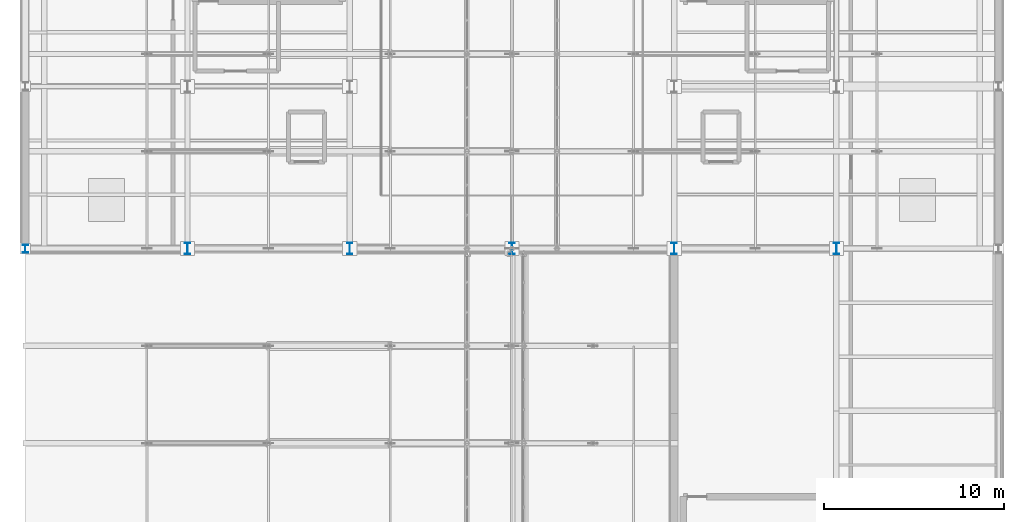
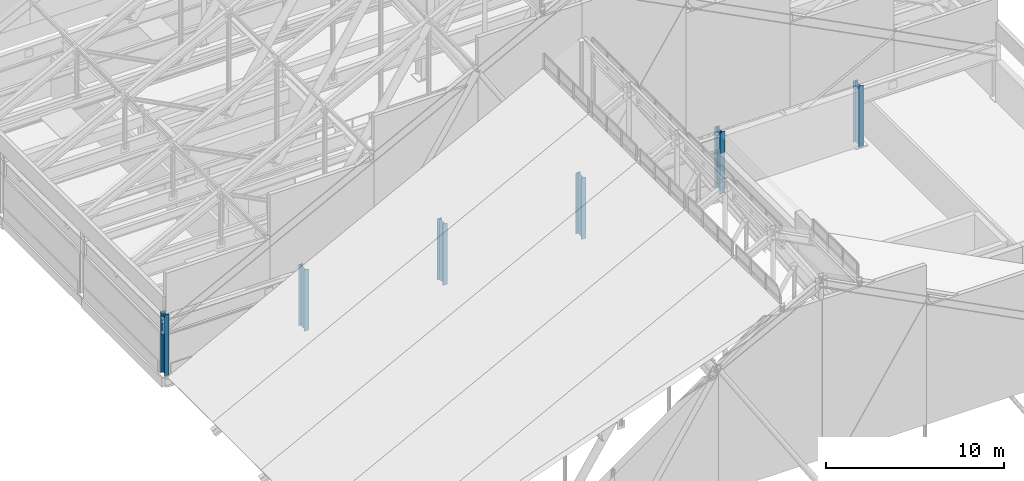
# One storey, part 1 of 84: 6 columns.
"""IFC4 building model written with IfcOpenShell, lengths in metres."""

import ifcopenshell
import ifcopenshell.guid

model = None  # the IFC model being written
_history = None  # IfcOwnerHistory: only IFC2X3 demands one
_inside = {}  # id of a spatial element -> (the spatial element, [elements in it])
_under = {}  # id of a project, library or spatial element -> (it, [spatial elements below it])
_declared = {}  # id of a project -> (the project, [libraries it declares])
_typed = {}  # id of a type object -> (the type object, [elements of that type])
_made_of = {}  # id of a material, layer set ... -> (it, [elements and type objects made of it])


def new_model(schema):
    """Start an empty IFC model of exactly this schema.

    Asked for "IFC4X3", IfcOpenShell would pick the latest addendum, in which some entities
    have other attributes; the version numbers below select the first issue.
    IFC2X3 requires an IfcOwnerHistory on every rooted entity: one is made here for all.
    """
    global model, _history
    if schema == "IFC4X3":
        model = ifcopenshell.file(schema_version=(4, 3, 0, 0))
    else:
        model = ifcopenshell.file(schema=schema)
    _inside.clear()
    _under.clear()
    _declared.clear()
    _typed.clear()
    _made_of.clear()
    _history = None
    if model.schema == "IFC2X3":
        org = make("IfcOrganization", Name="unknown")
        user = make(
            "IfcPersonAndOrganization",
            ThePerson=make("IfcPerson", FamilyName="unknown"),
            TheOrganization=org,
        )
        app = make(
            "IfcApplication",
            ApplicationDeveloper=org,
            Version="unknown",
            ApplicationFullName="unknown",
            ApplicationIdentifier="unknown",
        )
        _history = make(
            "IfcOwnerHistory",
            OwningUser=user,
            OwningApplication=app,
            ChangeAction="ADDED",
            CreationDate=0,
        )
    return model


def make(cls, **values):
    """One entity of the class cls with the attributes given. An attribute that is None is left unset."""
    return model.create_entity(
        cls, **{name: value for name, value in values.items() if value is not None}
    )


def rooted(cls, **values):
    """An entity with a GlobalId (a new one), such as an element, a storey or a relation."""
    return make(cls, GlobalId=ifcopenshell.guid.new(), OwnerHistory=_history, **values)


def si_unit(unit_type, name, prefix=None):
    """IfcSIUnit, for example si_unit("LENGTHUNIT", "METRE", prefix="MILLI")."""
    return make("IfcSIUnit", UnitType=unit_type, Prefix=prefix, Name=name)


def assignment(units):
    """IfcUnitAssignment: the units of a project."""
    return None if units is None else make("IfcUnitAssignment", Units=units)


def point(xyz):
    """IfcCartesianPoint."""
    return None if xyz is None else make("IfcCartesianPoint", Coordinates=xyz)


def direction(xyz):
    """IfcDirection."""
    return None if xyz is None else make("IfcDirection", DirectionRatios=xyz)


def frame(location, z_axis=None, x_axis=None):
    """IfcAxis2Placement3D, a coordinate frame: its origin and axes. An axis left out is left unset."""
    return make(
        "IfcAxis2Placement3D",
        Location=point(location),
        Axis=direction(z_axis),
        RefDirection=direction(x_axis),
    )


def frame_2d(location, x_axis=None):
    """IfcAxis2Placement2D, a coordinate frame in the plane: its origin and x axis."""
    return make(
        "IfcAxis2Placement2D", Location=point(location), RefDirection=direction(x_axis)
    )


def origin():
    """The frame at (0, 0, 0) with its axes left unset."""
    return frame((0.0, 0.0, 0.0))


def origin_2d():
    """The frame at (0, 0) in the plane with its x axis left unset."""
    return frame_2d((0.0, 0.0))


def place(relative_to, where):
    """IfcLocalPlacement: puts the frame where relative to a parent placement (None: the world)."""
    return make(
        "IfcLocalPlacement", PlacementRelTo=relative_to, RelativePlacement=where
    )


def context(
    kind, dimensions, precision=None, world=None, true_north=None, identifier=None
):
    """IfcGeometricRepresentationContext, for example the 3D "Model" context."""
    return make(
        "IfcGeometricRepresentationContext",
        ContextIdentifier=identifier,
        ContextType=kind,
        CoordinateSpaceDimension=dimensions,
        Precision=precision,
        WorldCoordinateSystem=world,
        TrueNorth=true_north,
    )


def subcontext(parent, identifier, kind, view, scale=None):
    """IfcGeometricRepresentationSubContext, for example "Body" below "Model"."""
    return make(
        "IfcGeometricRepresentationSubContext",
        ContextIdentifier=identifier,
        ContextType=kind,
        ParentContext=parent,
        TargetScale=scale,
        TargetView=view,
    )


def project(units=None, contexts=None):
    """IfcProject with its units and contexts."""
    return rooted(
        "IfcProject",
        Name="project",
        RepresentationContexts=contexts,
        UnitsInContext=assignment(units),
    )


def spatial(cls, under=None, at=None, **own):
    """A site, building, storey or space (cls), placed at a placement, below another one or the project."""
    s = rooted(cls, ObjectPlacement=at, **own)
    if under is not None:
        _under.setdefault(under.id(), (under, []))[1].append(s)
    return s


def profile(cls, at=None, kind="AREA", **sizes):
    """A parametric profile (cls). Its sizes go by their IFC names, for example OverallWidth=200.0."""
    return make(cls, ProfileType=kind, Position=at, **sizes)


def i_section(**sizes):
    """IfcIShapeProfileDef."""
    return profile("IfcIShapeProfileDef", **sizes)


def extrude(swept, where, along, depth):
    """IfcExtrudedAreaSolid: the profile swept, set in the frame where, extruded along a direction by depth."""
    return make(
        "IfcExtrudedAreaSolid",
        SweptArea=swept,
        Position=where,
        ExtrudedDirection=direction(along),
        Depth=depth,
    )


def shape(context_of_items, identifier, shape_type, items):
    """IfcShapeRepresentation: the items that make up one representation, for example the "Body"."""
    return make(
        "IfcShapeRepresentation",
        ContextOfItems=context_of_items,
        RepresentationIdentifier=identifier,
        RepresentationType=shape_type,
        Items=items,
    )


def material(Name=None, Category=None):
    """IfcMaterial."""
    return make("IfcMaterial", Name=Name, Category=Category)


def material_profile(
    of_material, cross_section, Name=None, Category=None, Priority=None
):
    """IfcMaterialProfile: a cross section and its material."""
    return make(
        "IfcMaterialProfile",
        Name=Name,
        Material=of_material,
        Profile=cross_section,
        Priority=Priority,
        Category=Category,
    )


def profile_set(profiles, Name=None, composite=None):
    """IfcMaterialProfileSet."""
    return make(
        "IfcMaterialProfileSet",
        Name=Name,
        MaterialProfiles=profiles,
        CompositeProfile=composite,
    )


def made_of(thing, what):
    """Note that an element or type object is made of a material, layer set ...; save() writes the relation."""
    if what is not None:
        _made_of.setdefault(what.id(), (what, []))[1].append(thing)
    return thing


def type_object(cls, material=None, **own):
    """A type object (cls), such as IfcWallType, which elements share."""
    return made_of(rooted(cls, **own), material)


def element(
    cls,
    number,
    at=None,
    inside=None,
    cuts=None,
    type_object=None,
    material=None,
    context=None,
    identifier="Body",
    shape_type=None,
    held_by="IfcProductDefinitionShape",
    body=None,
    shapes=None,
    **own,
):
    """One element of the class cls, such as IfcWall. Its Tag is "e" and its number.

    at: its placement. inside: the storey or other place that contains it. cuts: it is an
    opening in that element (IfcRelVoidsElement). A single representation is given by context,
    identifier, shape_type and body (its items); several are given by shapes. held_by: the class
    of the entity that holds the representations. save() writes the other relations.
    """
    e = rooted(cls, Tag="e%d" % number, ObjectPlacement=at, **own)
    if body is not None:
        shapes = [shape(context, identifier, shape_type, body)]
    if shapes is not None:
        e.Representation = make(held_by, Representations=shapes)
    if inside is not None:
        _inside.setdefault(inside.id(), (inside, []))[1].append(e)
    if cuts is not None:
        rooted(
            "IfcRelVoidsElement", RelatingBuildingElement=cuts, RelatedOpeningElement=e
        )
    if type_object is not None:
        _typed.setdefault(type_object.id(), (type_object, []))[1].append(e)
    return made_of(e, material)


def aggregate(whole, parts):
    """IfcRelAggregates: a whole, such as a stair, and the parts it consists of."""
    return rooted("IfcRelAggregates", RelatingObject=whole, RelatedObjects=parts)


def save(model, path):
    """Write the relations noted so far, then the file.

    IfcRelAggregates (storeys below a building ...), IfcRelContainedInSpatialStructure (elements
    in a storey), IfcRelDefinesByType, IfcRelAssociatesMaterial and IfcRelDeclares: one each for
    every whole, place, type object, material and project.
    """
    for whole, parts in _under.values():
        aggregate(whole, parts)
    for where, things in _inside.values():
        rooted(
            "IfcRelContainedInSpatialStructure",
            RelatedElements=things,
            RelatingStructure=where,
        )
    for kind, things in _typed.values():
        rooted("IfcRelDefinesByType", RelatedObjects=things, RelatingType=kind)
    for what, things in _made_of.values():
        rooted("IfcRelAssociatesMaterial", RelatedObjects=things, RelatingMaterial=what)
    for by, libraries in _declared.values():
        rooted("IfcRelDeclares", RelatingContext=by, RelatedDefinitions=libraries)
    model.write(path)


model = new_model("IFC4")

# Units and contexts
model_context = context("Model", 3, precision=1e-05, world=origin(), true_north=direction((0.0, 1.0)))
body_context = subcontext(model_context, "Body", "Model", "MODEL_VIEW")
ifc_project = project(units=[si_unit("LENGTHUNIT", "METRE"), si_unit("AREAUNIT", "SQUARE_METRE"), si_unit("VOLUMEUNIT", "CUBIC_METRE"), si_unit("PLANEANGLEUNIT", "RADIAN"), si_unit("MASSUNIT", "GRAM", prefix="KILO")], contexts=[model_context])

# Site, building, storey
site_placement = place(None, origin())
site = spatial("IfcSite", under=ifc_project, at=site_placement, CompositionType="ELEMENT")
building_placement = place(site_placement, origin())
building = spatial("IfcBuilding", under=site, at=building_placement, Name="Sundgate Opera House", CompositionType="ELEMENT")
storey_placement = place(building_placement, frame((0.0, 0.0, 30.60009765625)))
storey = spatial("IfcBuildingStorey", under=building, at=storey_placement, Name="L06", CompositionType="ELEMENT", Elevation=30.60009765625)

# Columns
ifc_material_1 = material(Name="Steel S355J2", Category="steel")
ifc_material_profile_1 = material_profile(ifc_material_1, i_section(OverallWidth=0.300048828125, OverallDepth=0.449951171875, WebThickness=0.013916015625, FlangeThickness=0.02587890625, at=origin_2d()), Name="HEB 450")
ifc_profile_set_1 = profile_set([ifc_material_profile_1], Name="Steel S355J2")
column_type_1 = type_object("IfcColumnType", Name="CL-STL-450", PredefinedType="COLUMN", material=ifc_profile_set_1)
column_placement = place(storey_placement, frame((27.0, 60.0, 0.0), z_axis=(0.0, 0.0, 1.0), x_axis=(1.0, 0.0, 0.0)))
element("IfcColumn", 1, at=column_placement, inside=storey, type_object=column_type_1, Name="L06 Column C0178", PredefinedType="COLUMN", context=body_context, shape_type="SweptSolid", body=[
    extrude(i_section(OverallWidth=0.300048828125, OverallDepth=0.449951171875, WebThickness=0.013916015625, FlangeThickness=0.02587890625, at=origin_2d()), origin(), (0.0, 0.0, 1.0), 4.199951171875),
])
ifc_material_2 = material(Name="Steel S355J2", Category="steel")
ifc_material_profile_2 = material_profile(ifc_material_2, i_section(OverallWidth=0.300048828125, OverallDepth=0.64990234375, WebThickness=0.01611328125, FlangeThickness=0.031005859375, at=origin_2d()), Name="HEB 650")
ifc_profile_set_2 = profile_set([ifc_material_profile_2], Name="Steel S355J2")
column_type_2 = type_object("IfcColumnType", Name="CL-STL-650", PredefinedType="COLUMN", material=ifc_profile_set_2)
for number, where, z_axis, x_axis, name in (
    (2, (36.0, 60.0, 0.0), (0.0, 0.0, 1.0), (1.0, 0.0, 0.0), "L06 Column C0239"),
    (3, (45.0, 60.0, 0.0), (0.0, 0.0, 1.0), (1.0, 0.0, 0.0), "L06 Column C0299"),
    (4, (54.0, 60.0, 0.0), (0.0, 0.0, 1.0), (1.0, 0.0, 0.0), "L06 Column C0359"),
    (5, (63.0, 60.0, 0.0), (0.0, 0.0, 1.0), (1.0, 0.0, 0.0), "L06 Column C0415"),
    (6, (72.0, 60.0, 0.0), (0.0, 0.0, 1.0), (1.0, 0.0, 0.0), "L06 Column C0482"),
):
    element("IfcColumn", number, at=place(storey_placement, frame(where, z_axis=z_axis, x_axis=x_axis)), inside=storey, type_object=column_type_2, Name=name, PredefinedType="COLUMN", context=body_context, shape_type="SweptSolid", body=[
        extrude(i_section(OverallWidth=0.300048828125, OverallDepth=0.64990234375, WebThickness=0.01611328125, FlangeThickness=0.031005859375, at=origin_2d()), origin(), (0.0, 0.0, 1.0), 4.199951171875),
    ])

save(model, "model.ifc")
